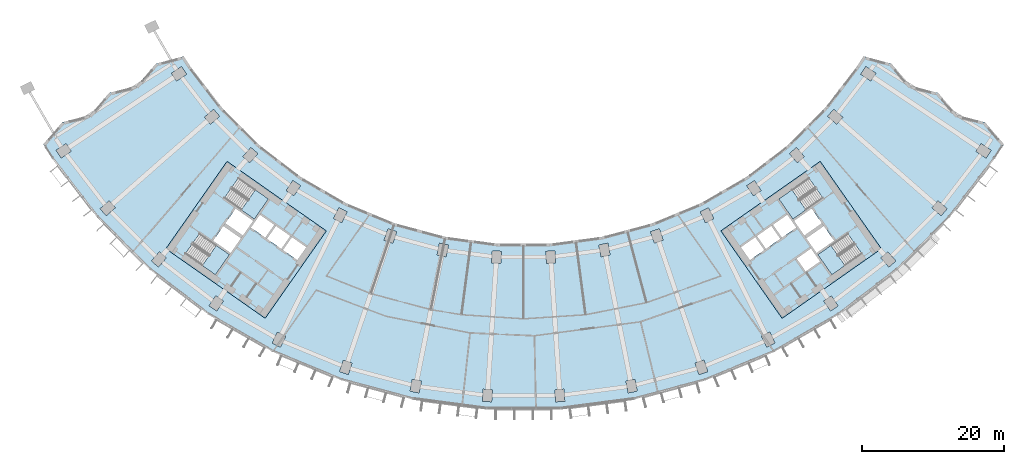
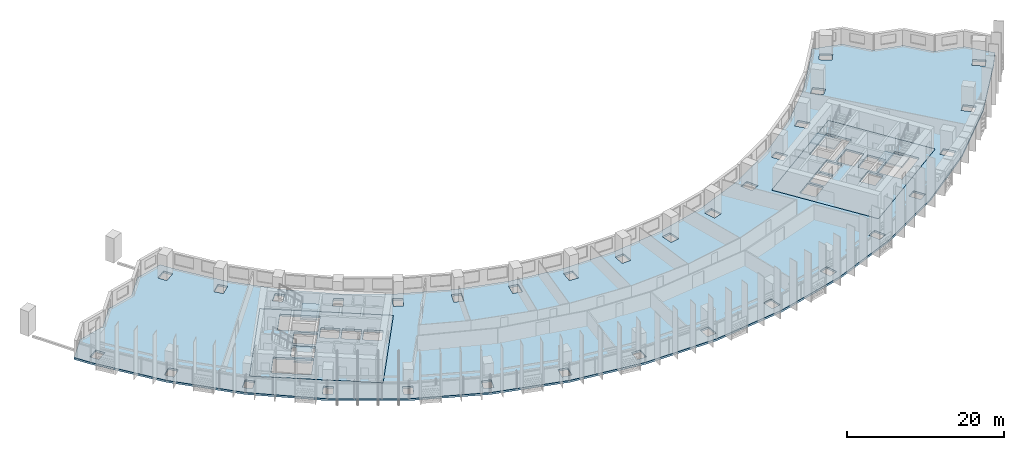
# One storey, part 2 of 31: 7 slabs, 4 elements without a shape of their own.
"""IFC4 building model written with IfcOpenShell, lengths in metres."""

import ifcopenshell
import ifcopenshell.guid

model = None  # the IFC model being written
_history = None  # IfcOwnerHistory: only IFC2X3 demands one
_inside = {}  # id of a spatial element -> (the spatial element, [elements in it])
_under = {}  # id of a project, library or spatial element -> (it, [spatial elements below it])
_declared = {}  # id of a project -> (the project, [libraries it declares])
_typed = {}  # id of a type object -> (the type object, [elements of that type])
_made_of = {}  # id of a material, layer set ... -> (it, [elements and type objects made of it])


def new_model(schema):
    """Start an empty IFC model of exactly this schema.

    Asked for "IFC4X3", IfcOpenShell would pick the latest addendum, in which some entities
    have other attributes; the version numbers below select the first issue.
    IFC2X3 requires an IfcOwnerHistory on every rooted entity: one is made here for all.
    """
    global model, _history
    if schema == "IFC4X3":
        model = ifcopenshell.file(schema_version=(4, 3, 0, 0))
    else:
        model = ifcopenshell.file(schema=schema)
    _inside.clear()
    _under.clear()
    _declared.clear()
    _typed.clear()
    _made_of.clear()
    _history = None
    if model.schema == "IFC2X3":
        org = make("IfcOrganization", Name="unknown")
        user = make(
            "IfcPersonAndOrganization",
            ThePerson=make("IfcPerson", FamilyName="unknown"),
            TheOrganization=org,
        )
        app = make(
            "IfcApplication",
            ApplicationDeveloper=org,
            Version="unknown",
            ApplicationFullName="unknown",
            ApplicationIdentifier="unknown",
        )
        _history = make(
            "IfcOwnerHistory",
            OwningUser=user,
            OwningApplication=app,
            ChangeAction="ADDED",
            CreationDate=0,
        )
    return model


def make(cls, **values):
    """One entity of the class cls with the attributes given. An attribute that is None is left unset."""
    return model.create_entity(
        cls, **{name: value for name, value in values.items() if value is not None}
    )


def rooted(cls, **values):
    """An entity with a GlobalId (a new one), such as an element, a storey or a relation."""
    return make(cls, GlobalId=ifcopenshell.guid.new(), OwnerHistory=_history, **values)


def si_unit(unit_type, name, prefix=None):
    """IfcSIUnit, for example si_unit("LENGTHUNIT", "METRE", prefix="MILLI")."""
    return make("IfcSIUnit", UnitType=unit_type, Prefix=prefix, Name=name)


def assignment(units):
    """IfcUnitAssignment: the units of a project."""
    return None if units is None else make("IfcUnitAssignment", Units=units)


def point(xyz):
    """IfcCartesianPoint."""
    return None if xyz is None else make("IfcCartesianPoint", Coordinates=xyz)


def direction(xyz):
    """IfcDirection."""
    return None if xyz is None else make("IfcDirection", DirectionRatios=xyz)


def frame(location, z_axis=None, x_axis=None):
    """IfcAxis2Placement3D, a coordinate frame: its origin and axes. An axis left out is left unset."""
    return make(
        "IfcAxis2Placement3D",
        Location=point(location),
        Axis=direction(z_axis),
        RefDirection=direction(x_axis),
    )


def origin():
    """The frame at (0, 0, 0) with its axes left unset."""
    return frame((0.0, 0.0, 0.0))


def place(relative_to, where):
    """IfcLocalPlacement: puts the frame where relative to a parent placement (None: the world)."""
    return make(
        "IfcLocalPlacement", PlacementRelTo=relative_to, RelativePlacement=where
    )


def context(
    kind, dimensions, precision=None, world=None, true_north=None, identifier=None
):
    """IfcGeometricRepresentationContext, for example the 3D "Model" context."""
    return make(
        "IfcGeometricRepresentationContext",
        ContextIdentifier=identifier,
        ContextType=kind,
        CoordinateSpaceDimension=dimensions,
        Precision=precision,
        WorldCoordinateSystem=world,
        TrueNorth=true_north,
    )


def subcontext(parent, identifier, kind, view, scale=None):
    """IfcGeometricRepresentationSubContext, for example "Body" below "Model"."""
    return make(
        "IfcGeometricRepresentationSubContext",
        ContextIdentifier=identifier,
        ContextType=kind,
        ParentContext=parent,
        TargetScale=scale,
        TargetView=view,
    )


def project(units=None, contexts=None):
    """IfcProject with its units and contexts."""
    return rooted(
        "IfcProject",
        Name="project",
        RepresentationContexts=contexts,
        UnitsInContext=assignment(units),
    )


def spatial(cls, under=None, at=None, **own):
    """A site, building, storey or space (cls), placed at a placement, below another one or the project."""
    s = rooted(cls, ObjectPlacement=at, **own)
    if under is not None:
        _under.setdefault(under.id(), (under, []))[1].append(s)
    return s


def polyline(points):
    """IfcPolyline through the points."""
    return make("IfcPolyline", Points=[point(p) for p in points])


def outline(outer, holes=None, kind="AREA"):
    """IfcArbitraryClosedProfileDef: a profile drawn as a closed curve; with holes, ...WithVoids."""
    if holes is None:
        return make("IfcArbitraryClosedProfileDef", ProfileType=kind, OuterCurve=outer)
    return make(
        "IfcArbitraryProfileDefWithVoids",
        ProfileType=kind,
        OuterCurve=outer,
        InnerCurves=holes,
    )


def extrude(swept, where, along, depth):
    """IfcExtrudedAreaSolid: the profile swept, set in the frame where, extruded along a direction by depth."""
    return make(
        "IfcExtrudedAreaSolid",
        SweptArea=swept,
        Position=where,
        ExtrudedDirection=direction(along),
        Depth=depth,
    )


def shape(context_of_items, identifier, shape_type, items):
    """IfcShapeRepresentation: the items that make up one representation, for example the "Body"."""
    return make(
        "IfcShapeRepresentation",
        ContextOfItems=context_of_items,
        RepresentationIdentifier=identifier,
        RepresentationType=shape_type,
        Items=items,
    )


def material(Name=None, Category=None):
    """IfcMaterial."""
    return make("IfcMaterial", Name=Name, Category=Category)


def layer(
    of_material, thickness, ventilated=None, Name=None, Category=None, Priority=None
):
    """IfcMaterialLayer: one layer of a wall or slab, of a material (None: an air gap)."""
    return make(
        "IfcMaterialLayer",
        Material=of_material,
        LayerThickness=thickness,
        IsVentilated=ventilated,
        Name=Name,
        Category=Category,
        Priority=Priority,
    )


def layer_set(layers, Name=None):
    """IfcMaterialLayerSet."""
    return make("IfcMaterialLayerSet", MaterialLayers=layers, LayerSetName=Name)


def made_of(thing, what):
    """Note that an element or type object is made of a material, layer set ...; save() writes the relation."""
    if what is not None:
        _made_of.setdefault(what.id(), (what, []))[1].append(thing)
    return thing


def type_object(cls, material=None, **own):
    """A type object (cls), such as IfcWallType, which elements share."""
    return made_of(rooted(cls, **own), material)


def element(
    cls,
    number,
    at=None,
    inside=None,
    cuts=None,
    type_object=None,
    material=None,
    context=None,
    identifier="Body",
    shape_type=None,
    held_by="IfcProductDefinitionShape",
    body=None,
    shapes=None,
    **own,
):
    """One element of the class cls, such as IfcWall. Its Tag is "e" and its number.

    at: its placement. inside: the storey or other place that contains it. cuts: it is an
    opening in that element (IfcRelVoidsElement). A single representation is given by context,
    identifier, shape_type and body (its items); several are given by shapes. held_by: the class
    of the entity that holds the representations. save() writes the other relations.
    """
    e = rooted(cls, Tag="e%d" % number, ObjectPlacement=at, **own)
    if body is not None:
        shapes = [shape(context, identifier, shape_type, body)]
    if shapes is not None:
        e.Representation = make(held_by, Representations=shapes)
    if inside is not None:
        _inside.setdefault(inside.id(), (inside, []))[1].append(e)
    if cuts is not None:
        rooted(
            "IfcRelVoidsElement", RelatingBuildingElement=cuts, RelatedOpeningElement=e
        )
    if type_object is not None:
        _typed.setdefault(type_object.id(), (type_object, []))[1].append(e)
    return made_of(e, material)


def aggregate(whole, parts):
    """IfcRelAggregates: a whole, such as a stair, and the parts it consists of."""
    return rooted("IfcRelAggregates", RelatingObject=whole, RelatedObjects=parts)


def save(model, path):
    """Write the relations noted so far, then the file.

    IfcRelAggregates (storeys below a building ...), IfcRelContainedInSpatialStructure (elements
    in a storey), IfcRelDefinesByType, IfcRelAssociatesMaterial and IfcRelDeclares: one each for
    every whole, place, type object, material and project.
    """
    for whole, parts in _under.values():
        aggregate(whole, parts)
    for where, things in _inside.values():
        rooted(
            "IfcRelContainedInSpatialStructure",
            RelatedElements=things,
            RelatingStructure=where,
        )
    for kind, things in _typed.values():
        rooted("IfcRelDefinesByType", RelatedObjects=things, RelatingType=kind)
    for what, things in _made_of.values():
        rooted("IfcRelAssociatesMaterial", RelatedObjects=things, RelatingMaterial=what)
    for by, libraries in _declared.values():
        rooted("IfcRelDeclares", RelatingContext=by, RelatedDefinitions=libraries)
    model.write(path)


model = new_model("IFC4")

# Units and contexts
model_context = context("Model", 3, precision=1e-05, world=origin(), true_north=direction((0.0, 1.0)))
body_context = subcontext(model_context, "Body", "Model", "MODEL_VIEW")
ifc_project = project(units=[si_unit("LENGTHUNIT", "METRE"), si_unit("AREAUNIT", "SQUARE_METRE"), si_unit("VOLUMEUNIT", "CUBIC_METRE"), si_unit("PLANEANGLEUNIT", "RADIAN"), si_unit("MASSUNIT", "GRAM", prefix="KILO")], contexts=[model_context])

# Site, building, storey
site_placement = place(None, origin())
site = spatial("IfcSite", under=ifc_project, at=site_placement, CompositionType="ELEMENT")
building_placement = place(site_placement, origin())
building = spatial("IfcBuilding", under=site, at=building_placement, Name="Qamariyya Broadcast Tower", CompositionType="ELEMENT")
storey_placement = place(building_placement, frame((0.0, 0.0, 55.699951171875)))
storey = spatial("IfcBuildingStorey", under=building, at=storey_placement, Name="L10", CompositionType="ELEMENT", Elevation=55.699951171875)

# Slabs
ifc_material_1 = material(Name="Concrete C40/50", Category="concrete")
ifc_layer_1 = layer(ifc_material_1, 0.300048828125)
ifc_layer_set_1 = layer_set([ifc_layer_1], Name="Core floor slab 300 mm Concrete C40/50")
slab_type_1 = type_object("IfcSlabType", Name="Core floor slab 300 mm Concrete C40/50", PredefinedType="FLOOR", material=ifc_layer_set_1)
slab_1_placement = place(storey_placement, frame((0.0, 0.0, -0.300048828125)))
element("IfcSlab", 1, at=slab_1_placement, inside=storey, type_object=slab_type_1, Name="k-W-L10-slab", PredefinedType="FLOOR", context=body_context, shape_type="SweptSolid", body=[
    extrude(outline(polyline([(-50.286376953125, -56.95751953125), (-36.32373046875, -66.734375), (-27.719970703125, -54.447021484375), (-41.6826171875, -44.67041015625), (-50.286376953125, -56.95751953125)]), holes=[polyline([(-31.80859375, -58.542724609375), (-33.8154296875, -57.137451171875), (-32.5537109375, -55.335205078125), (-30.546630859375, -56.740478515625), (-31.80859375, -58.542724609375)]), polyline([(-34.061279296875, -56.96533203125), (-36.068115234375, -55.56005859375), (-34.806396484375, -53.758056640625), (-32.79931640625, -55.163330078125), (-34.061279296875, -56.96533203125)]), polyline([(-36.31396484375, -55.387939453125), (-38.32080078125, -53.982666015625), (-37.058837890625, -52.1806640625), (-35.052001953125, -53.5859375), (-36.31396484375, -55.387939453125)]), polyline([(-39.742431640625, -55.489990234375), (-42.199951171875, -53.769287109375), (-43.6337890625, -55.817138671875), (-41.17626953125, -57.537841796875), (-39.742431640625, -55.489990234375)]), polyline([(-39.45556640625, -55.080322265625), (-41.9130859375, -53.359619140625), (-40.47900390625, -51.311767578125), (-38.021728515625, -53.032470703125), (-39.45556640625, -55.080322265625)]), polyline([(-42.06103515625, -49.837890625), (-37.849609375, -52.78662109375), (-35.870849609375, -49.960693359375), (-40.082275390625, -47.01171875), (-42.06103515625, -49.837890625)]), polyline([(-47.538818359375, -57.66064453125), (-43.3271484375, -60.609619140625), (-41.348388671875, -57.783447265625), (-45.559814453125, -54.834716796875), (-47.538818359375, -57.66064453125)])]), origin(), (0.0, 0.0, 1.0), 0.300048828125),
])
slab_2_placement = place(storey_placement, frame((0.0, 0.0, -0.300048828125)))
element("IfcSlab", 2, at=slab_2_placement, inside=storey, type_object=slab_type_1, Name="k-E-L10-slab", PredefinedType="FLOOR", context=body_context, shape_type="SweptSolid", body=[
    extrude(outline(polyline([(36.32373046875, -66.734375), (50.286376953125, -56.95751953125), (41.6826171875, -44.67041015625), (27.719970703125, -54.447021484375), (36.32373046875, -66.734375)]), holes=[polyline([(31.80859375, -58.542724609375), (33.8154296875, -57.137451171875), (32.5537109375, -55.335205078125), (30.546630859375, -56.740478515625), (31.80859375, -58.542724609375)]), polyline([(34.061279296875, -56.96533203125), (36.068115234375, -55.56005859375), (34.806396484375, -53.758056640625), (32.79931640625, -55.163330078125), (34.061279296875, -56.96533203125)]), polyline([(36.31396484375, -55.387939453125), (38.32080078125, -53.982666015625), (37.058837890625, -52.1806640625), (35.052001953125, -53.5859375), (36.31396484375, -55.387939453125)]), polyline([(38.378662109375, -58.3369140625), (40.3857421875, -56.931640625), (41.6474609375, -58.73388671875), (39.640625, -60.13916015625), (38.378662109375, -58.3369140625)]), polyline([(39.742431640625, -55.489990234375), (42.199951171875, -53.769287109375), (43.6337890625, -55.817138671875), (41.17626953125, -57.537841796875), (39.742431640625, -55.489990234375)]), polyline([(39.45556640625, -55.080322265625), (41.9130859375, -53.359619140625), (40.47900390625, -51.311767578125), (38.021728515625, -53.032470703125), (39.45556640625, -55.080322265625)]), polyline([(40.082275390625, -47.01171875), (35.870849609375, -49.960693359375), (37.849609375, -52.78662109375), (42.06103515625, -49.837890625), (40.082275390625, -47.01171875)]), polyline([(45.559814453125, -54.834716796875), (41.348388671875, -57.783447265625), (43.3271484375, -60.609619140625), (47.538818359375, -57.66064453125), (45.559814453125, -54.834716796875)])]), origin(), (0.0, 0.0, 1.0), 0.300048828125),
])
ifc_layer_2 = layer(ifc_material_1, 0.300048828125)
ifc_layer_set_2 = layer_set([ifc_layer_2], Name="Post-tensioned floor slab 300 C40/50")
slab_type_2 = type_object("IfcSlabType", Name="Post-tensioned floor slab 300 C40/50", PredefinedType="FLOOR", material=ifc_layer_set_2)
slab_3_placement = place(storey_placement, frame((0.0, 0.0, -0.300048828125)))
element("IfcSlab", 3, at=slab_3_placement, inside=storey, type_object=slab_type_2, Name="Floor slab S4 L10", PredefinedType="FLOOR", context=body_context, shape_type="SweptSolid", body=[
    extrude(outline(polyline([(-64.851318359375, -39.177978515625), (-67.51416015625, -42.260498046875), (-66.2265625, -44.251220703125), (-59.884033203125, -52.516845703125), (-52.516845703125, -59.884033203125), (-44.251220703125, -66.2265625), (-35.228271484375, -71.43603515625), (-25.6025390625, -75.423095703125), (-15.5390625, -78.11962890625), (-5.20947265625, -79.4794921875), (5.20947265625, -79.4794921875), (15.5390625, -78.11962890625), (25.6025390625, -75.423095703125), (35.228271484375, -71.43603515625), (44.251220703125, -66.2265625), (52.516845703125, -59.884033203125), (59.884033203125, -52.516845703125), (66.2265625, -44.251220703125), (67.51416015625, -42.260498046875), (64.851318359375, -39.177978515625), (60.930908203125, -38.1396484375), (58.26708984375, -35.056396484375), (54.34765625, -34.018798828125), (51.6826171875, -30.93505859375), (47.764404296875, -29.89794921875), (46.853271484375, -31.306396484375), (42.3662109375, -37.154052734375), (37.154052734375, -42.3662109375), (31.306396484375, -46.853271484375), (24.9228515625, -50.538818359375), (18.113037109375, -53.359619140625), (10.993408203125, -55.267333984375), (3.685546875, -56.229248046875), (-3.685546875, -56.229248046875), (-10.993408203125, -55.267333984375), (-18.113037109375, -53.359619140625), (-24.9228515625, -50.538818359375), (-31.306396484375, -46.853271484375), (-37.154052734375, -42.3662109375), (-42.3662109375, -37.154052734375), (-46.853271484375, -31.306396484375), (-47.764404296875, -29.89794921875), (-51.6826171875, -30.93505859375), (-54.34765625, -34.018798828125), (-58.26708984375, -35.056396484375), (-60.930908203125, -38.1396484375), (-64.851318359375, -39.177978515625)]), holes=[polyline([(-5.789306640625, -78.38916015625), (-5.67822265625, -76.69287109375), (-4.380859375, -76.77783203125), (-4.4921875, -78.47412109375), (-5.789306640625, -78.38916015625)]), polyline([(-15.9716796875, -76.962890625), (-15.639892578125, -75.295654296875), (-14.364990234375, -75.54931640625), (-14.696533203125, -77.216552734375), (-15.9716796875, -76.962890625)]), polyline([(-25.880615234375, -74.2197265625), (-25.334228515625, -72.610107421875), (-24.103271484375, -73.02783203125), (-24.649658203125, -74.6376953125), (-25.880615234375, -74.2197265625)]), polyline([(-35.346923828125, -70.206787109375), (-34.594970703125, -68.68212890625), (-33.428955078125, -69.257080078125), (-34.180908203125, -70.78173828125), (-35.346923828125, -70.206787109375)]), polyline([(-44.208251953125, -64.992431640625), (-43.263916015625, -63.578857421875), (-42.182861328125, -64.301025390625), (-43.12744140625, -65.714599609375), (-44.208251953125, -64.992431640625)]), polyline([(-52.313232421875, -58.666015625), (-51.1923828125, -57.387939453125), (-50.215087890625, -58.2451171875), (-51.3359375, -59.523193359375), (-52.313232421875, -58.666015625)]), polyline([(-12.167236328125, -57.837646484375), (-11.835693359375, -56.170166015625), (-10.560791015625, -56.423828125), (-10.892333984375, -58.09130859375), (-12.167236328125, -57.837646484375)]), polyline([(-41.6826171875, -44.67041015625), (-27.719970703125, -54.447021484375), (-36.32373046875, -66.734375), (-50.286376953125, -56.95751953125), (-41.6826171875, -44.67041015625)]), polyline([(-19.066162109375, -54.144775390625), (-17.835205078125, -54.562744140625), (-18.381591796875, -56.172607421875), (-19.612548828125, -55.754638671875), (-19.066162109375, -54.144775390625)]), polyline([(-26.72216796875, -52.7177734375), (-25.970458984375, -51.193115234375), (-24.804443359375, -51.76806640625), (-25.556396484375, -53.292724609375), (-26.72216796875, -52.7177734375)]), polyline([(-59.523193359375, -51.3359375), (-58.2451171875, -50.215087890625), (-57.387939453125, -51.1923828125), (-58.666015625, -52.313232421875), (-59.523193359375, -51.3359375)]), polyline([(-33.374755859375, -48.77880859375), (-32.43017578125, -47.365234375), (-31.349365234375, -48.08740234375), (-32.293701171875, -49.5009765625), (-33.374755859375, -48.77880859375)]), polyline([(-39.4560546875, -44.005126953125), (-38.335205078125, -42.72705078125), (-37.357666015625, -43.584228515625), (-38.478759765625, -44.8623046875), (-39.4560546875, -44.005126953125)]), polyline([(-65.714599609375, -43.12744140625), (-64.301025390625, -42.182861328125), (-63.578857421875, -43.263916015625), (-64.992431640625, -44.208251953125), (-65.714599609375, -43.12744140625)]), polyline([(-44.8623046875, -38.478759765625), (-43.584228515625, -37.357666015625), (-42.72705078125, -38.335205078125), (-44.005126953125, -39.4560546875), (-44.8623046875, -38.478759765625)]), polyline([(-48.08740234375, -31.349365234375), (-47.365234375, -32.43017578125), (-48.77880859375, -33.374755859375), (-49.5009765625, -32.293701171875), (-48.08740234375, -31.349365234375)]), polyline([(4.4921875, -78.47412109375), (4.380859375, -76.77783203125), (5.67822265625, -76.69287109375), (5.789306640625, -78.38916015625), (4.4921875, -78.47412109375)]), polyline([(14.696533203125, -77.216552734375), (14.364990234375, -75.54931640625), (15.639892578125, -75.295654296875), (15.9716796875, -76.962890625), (14.696533203125, -77.216552734375)]), polyline([(24.649658203125, -74.6376953125), (24.103271484375, -73.02783203125), (25.334228515625, -72.610107421875), (25.880615234375, -74.2197265625), (24.649658203125, -74.6376953125)]), polyline([(34.180908203125, -70.78173828125), (33.428955078125, -69.257080078125), (34.594970703125, -68.68212890625), (35.346923828125, -70.206787109375), (34.180908203125, -70.78173828125)]), polyline([(43.12744140625, -65.714599609375), (42.182861328125, -64.301025390625), (43.263916015625, -63.578857421875), (44.208251953125, -64.992431640625), (43.12744140625, -65.714599609375)]), polyline([(51.3359375, -59.523193359375), (50.215087890625, -58.2451171875), (51.1923828125, -57.387939453125), (52.313232421875, -58.666015625), (51.3359375, -59.523193359375)]), polyline([(3.216796875, -59.015869140625), (3.10546875, -57.319580078125), (4.40283203125, -57.234619140625), (4.513916015625, -58.930908203125), (3.216796875, -59.015869140625)]), polyline([(-4.40283203125, -57.234619140625), (-3.10546875, -57.319580078125), (-3.216796875, -59.015869140625), (-4.513916015625, -58.930908203125), (-4.40283203125, -57.234619140625)]), polyline([(10.560791015625, -56.423828125), (11.835693359375, -56.170166015625), (12.167236328125, -57.837646484375), (10.892333984375, -58.09130859375), (10.560791015625, -56.423828125)]), polyline([(36.32373046875, -66.734375), (27.719970703125, -54.447021484375), (41.6826171875, -44.67041015625), (50.286376953125, -56.95751953125), (36.32373046875, -66.734375)]), polyline([(18.381591796875, -56.172607421875), (17.835205078125, -54.562744140625), (19.066162109375, -54.144775390625), (19.612548828125, -55.754638671875), (18.381591796875, -56.172607421875)]), polyline([(25.556396484375, -53.292724609375), (24.804443359375, -51.76806640625), (25.970458984375, -51.193115234375), (26.72216796875, -52.7177734375), (25.556396484375, -53.292724609375)]), polyline([(58.666015625, -52.313232421875), (57.387939453125, -51.1923828125), (58.2451171875, -50.215087890625), (59.523193359375, -51.3359375), (58.666015625, -52.313232421875)]), polyline([(32.293701171875, -49.5009765625), (31.349365234375, -48.08740234375), (32.43017578125, -47.365234375), (33.374755859375, -48.77880859375), (32.293701171875, -49.5009765625)]), polyline([(38.478759765625, -44.8623046875), (37.357666015625, -43.584228515625), (38.335205078125, -42.72705078125), (39.4560546875, -44.005126953125), (38.478759765625, -44.8623046875)]), polyline([(64.992431640625, -44.208251953125), (63.578857421875, -43.263916015625), (64.301025390625, -42.182861328125), (65.714599609375, -43.12744140625), (64.992431640625, -44.208251953125)]), polyline([(42.72705078125, -38.335205078125), (43.584228515625, -37.357666015625), (44.8623046875, -38.478759765625), (44.005126953125, -39.4560546875), (42.72705078125, -38.335205078125)]), polyline([(47.365234375, -32.43017578125), (48.08740234375, -31.349365234375), (49.5009765625, -32.293701171875), (48.77880859375, -33.374755859375), (47.365234375, -32.43017578125)])]), origin(), (0.0, 0.0, 1.0), 0.300048828125),
])

# Stair, slab
ifc_material_2 = material(Name="Concrete C50/60", Category="concrete")
stair_type = type_object("IfcStairType", Name="Exit stair 22 risers of 173 mm", PredefinedType="HALF_TURN_STAIR", material=ifc_material_2)
stair_1_placement = place(storey_placement, origin())
stair_1 = element("IfcStair", 4, at=stair_1_placement, inside=storey, type_object=stair_type, Name="L10 Stair W2", PredefinedType="HALF_TURN_STAIR")
ifc_layer_3 = layer(ifc_material_2, 0.199951171875)
ifc_layer_set_3 = layer_set([ifc_layer_3], Name="Stair landing")
slab_type_3 = type_object("IfcSlabType", Name="Stair landing", PredefinedType="LANDING", material=ifc_layer_set_3)
slab_4_placement = place(storey_placement, frame((0.0, 0.0, 1.699951171875)))
slab_4 = element("IfcSlab", 5, at=slab_4_placement, type_object=slab_type_3, Name="ST-W2 landing 1", PredefinedType="LANDING", context=body_context, shape_type="SweptSolid", body=[
    extrude(outline(polyline([(-39.692138671875, -51.49658203125), (-37.849609375, -52.78662109375), (-35.870849609375, -49.960693359375), (-37.71337890625, -48.67041015625), (-39.692138671875, -51.49658203125)])), origin(), (0.0, 0.0, 1.0), 0.2001953125),
])
aggregate(stair_1, [slab_4])

stair_2_placement = place(storey_placement, origin())
stair_2 = element("IfcStair", 6, at=stair_2_placement, inside=storey, type_object=stair_type, Name="L10 Stair W1", PredefinedType="HALF_TURN_STAIR")
slab_5_placement = place(storey_placement, frame((0.0, 0.0, 1.699951171875)))
slab_5 = element("IfcSlab", 7, at=slab_5_placement, type_object=slab_type_3, Name="ST-W1 landing 1", PredefinedType="LANDING", context=body_context, shape_type="SweptSolid", body=[
    extrude(outline(polyline([(-45.169677734375, -59.319580078125), (-43.3271484375, -60.609619140625), (-41.348388671875, -57.783447265625), (-43.19091796875, -56.493408203125), (-45.169677734375, -59.319580078125)])), origin(), (0.0, 0.0, 1.0), 0.2001953125),
])
aggregate(stair_2, [slab_5])

stair_3_placement = place(storey_placement, origin())
stair_3 = element("IfcStair", 8, at=stair_3_placement, inside=storey, type_object=stair_type, Name="L10 Stair E2", PredefinedType="HALF_TURN_STAIR")
slab_6_placement = place(storey_placement, frame((0.0, 0.0, 1.699951171875)))
slab_6 = element("IfcSlab", 9, at=slab_6_placement, type_object=slab_type_3, Name="ST-E2 landing 1", PredefinedType="LANDING", context=body_context, shape_type="SweptSolid", body=[
    extrude(outline(polyline([(37.71337890625, -48.67041015625), (35.870849609375, -49.960693359375), (37.849609375, -52.78662109375), (39.692138671875, -51.49658203125), (37.71337890625, -48.67041015625)])), origin(), (0.0, 0.0, 1.0), 0.2001953125),
])
aggregate(stair_3, [slab_6])

stair_4_placement = place(storey_placement, origin())
stair_4 = element("IfcStair", 10, at=stair_4_placement, inside=storey, type_object=stair_type, Name="L10 Stair E1", PredefinedType="HALF_TURN_STAIR")
slab_7_placement = place(storey_placement, frame((0.0, 0.0, 1.699951171875)))
slab_7 = element("IfcSlab", 11, at=slab_7_placement, type_object=slab_type_3, Name="ST-E1 landing 1", PredefinedType="LANDING", context=body_context, shape_type="SweptSolid", body=[
    extrude(outline(polyline([(43.19091796875, -56.493408203125), (41.348388671875, -57.783447265625), (43.3271484375, -60.609619140625), (45.169677734375, -59.319580078125), (43.19091796875, -56.493408203125)])), origin(), (0.0, 0.0, 1.0), 0.2001953125),
])
aggregate(stair_4, [slab_7])

save(model, "model.ifc")
